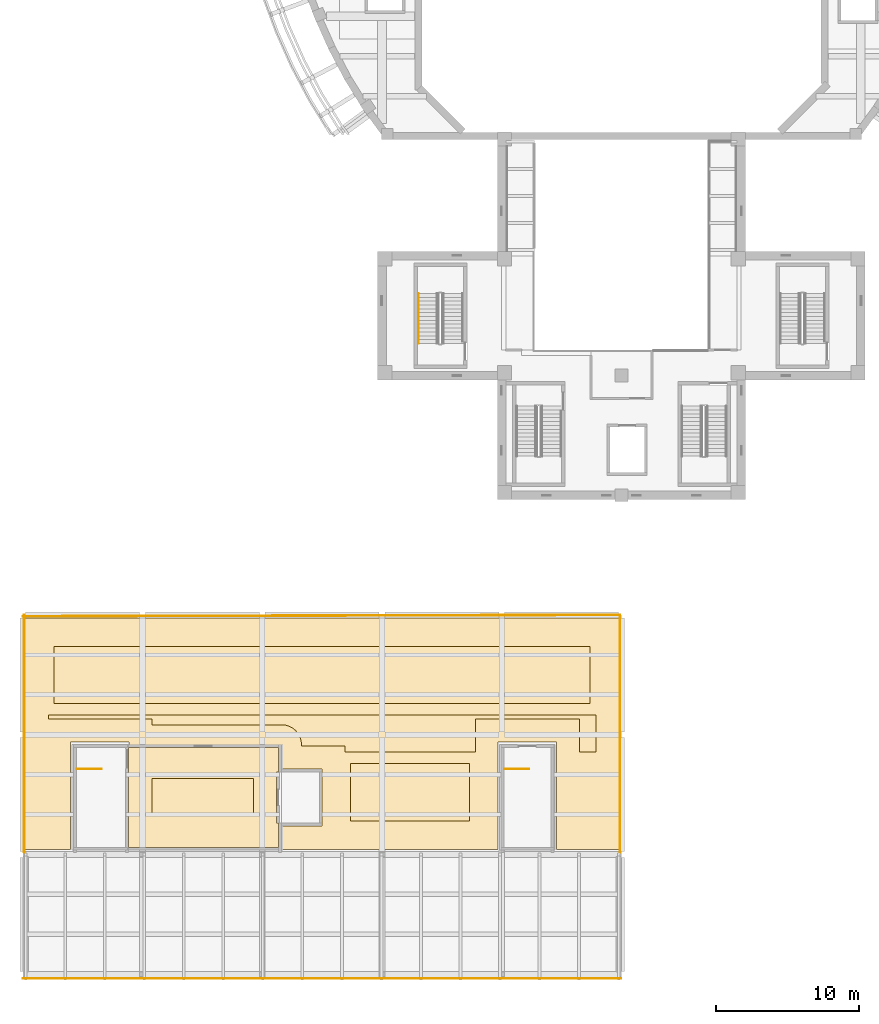
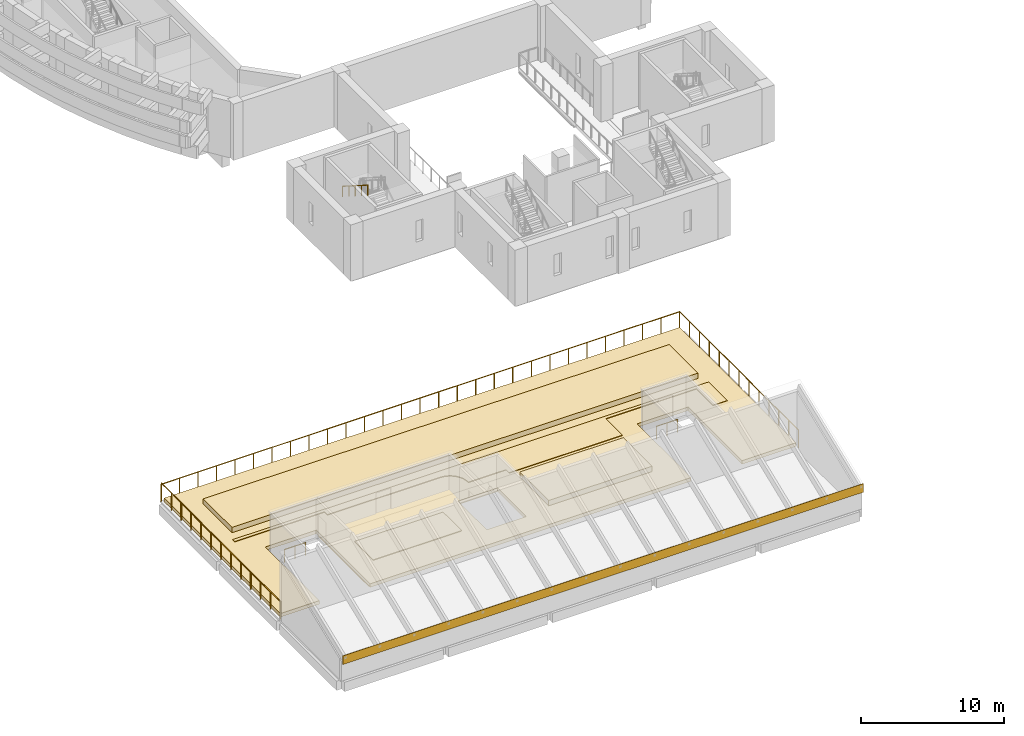
# One storey, part 20 of 37: 7 coverings, 5 railings.
"""IFC4 building model written with IfcOpenShell, lengths in metres."""

from ifc_helpers import new_model, si_unit, direction, frame, origin, origin_2d, place, context, subcontext, project, spatial, polyline, circle, outline, extrude, material, layer, layer_set, type_object, element, save


model = new_model("IFC4")

# Units and contexts
model_context = context("Model", 3, precision=1e-05, world=origin(), true_north=direction((0.0, 1.0)))
body_context = subcontext(model_context, "Body", "Model", "MODEL_VIEW")
ifc_project = project(units=[si_unit("LENGTHUNIT", "METRE"), si_unit("AREAUNIT", "SQUARE_METRE"), si_unit("VOLUMEUNIT", "CUBIC_METRE"), si_unit("PLANEANGLEUNIT", "RADIAN"), si_unit("MASSUNIT", "GRAM", prefix="KILO")], contexts=[model_context])

# Site, building, storey
site_placement = place(None, origin())
site = spatial("IfcSite", under=ifc_project, at=site_placement, CompositionType="ELEMENT")
building_placement = place(site_placement, origin())
building = spatial("IfcBuilding", under=site, at=building_placement, Name="Larchfold Concert Hall", CompositionType="ELEMENT")
storey_placement = place(building_placement, frame((0.0, 0.0, 19.199951171875)))
storey = spatial("IfcBuildingStorey", under=building, at=storey_placement, Name="L04", CompositionType="ELEMENT", Elevation=19.199951171875)

# Coverings
ifc_material_1 = material(Name="Polished terrazzo")
ifc_layer_1 = layer(ifc_material_1, 0.0400390625)
ifc_layer_set_1 = layer_set([ifc_layer_1], Name="Polished terrazzo")
covering_type_1 = type_object("IfcCoveringType", Name="Floor finish terrazzo 40", PredefinedType="FLOORING", material=ifc_layer_set_1)
covering_1_placement = place(storey_placement, origin())
element("IfcCovering", 1, at=covering_1_placement, inside=storey, type_object=covering_type_1, Name="Floor finish Roof Garden Lobby", PredefinedType="FLOORING", context=body_context, shape_type="SweptSolid", body=[
    extrude(outline(polyline([(8.0, 9.5), (18.5498046875, 9.5), (18.5498046875, 11.199951171875), (18.39990234375, 11.199951171875), (18.39990234375, 14.800048828125), (18.5498046875, 14.800048828125), (18.5498046875, 16.5), (8.0, 16.5), (8.0, 9.5)])), origin(), (0.0, 0.0, 1.0), 0.0400390625),
])
ifc_material_2 = material(Name="Planting soil and drainage layer on membrane")
ifc_layer_2 = layer(ifc_material_2, 0.300048828125)
ifc_layer_set_2 = layer_set([ifc_layer_2], Name="Planting soil and drainage layer on membrane")
covering_type_2 = type_object("IfcCoveringType", Name="Planted roof build-up 300", PredefinedType="ROOFING", material=ifc_layer_set_2)
covering_2_placement = place(storey_placement, origin())
element("IfcCovering", 2, at=covering_2_placement, inside=storey, type_object=covering_type_2, Name="Roof covering RC003", PredefinedType="ROOFING", context=body_context, shape_type="SweptSolid", body=[
    extrude(outline(polyline([(0.800048828125, 9.349853515625), (3.949951171875, 9.349853515625), (3.949951171875, 16.89990234375), (8.050048828125, 16.89990234375), (8.050048828125, 9.349853515625), (33.949951171875, 9.349853515625), (33.949951171875, 16.89990234375), (38.050048828125, 16.89990234375), (38.050048828125, 9.349853515625), (42.400146484375, 9.349853515625), (42.400146484375, 25.60009765625), (0.800048828125, 25.60009765625), (0.800048828125, 9.349853515625)]), holes=[polyline([(18.400146484375, 11.0), (18.400146484375, 15.0), (21.599853515625, 15.0), (21.599853515625, 11.0), (18.400146484375, 11.0)])]), origin(), (0.0, 0.0, 1.0), 0.300048828125),
])
ifc_material_3 = material(Name="Planting soil and drainage layer in raised bed")
ifc_layer_3 = layer(ifc_material_3, 0.449951171875)
ifc_layer_set_3 = layer_set([ifc_layer_3], Name="Planting soil and drainage layer in raised bed")
covering_type_3 = type_object("IfcCoveringType", Name="Raised planting bed 450", PredefinedType="ROOFING", material=ifc_layer_set_3)
covering_3_placement = place(storey_placement, frame((0.0, 0.0, 0.300048828125)))
element("IfcCovering", 3, at=covering_3_placement, inside=storey, type_object=covering_type_3, Name="Planting bed PB01", PredefinedType="ROOFING", context=body_context, shape_type="SweptSolid", body=[
    extrude(outline(polyline([(2.800048828125, 23.60009765625), (2.800048828125, 19.574951171875), (40.400146484375, 19.574951171875), (40.400146484375, 23.60009765625), (2.800048828125, 23.60009765625)])), origin(), (0.0, 0.0, 1.0), 0.449951171875),
])
covering_4_placement = place(storey_placement, frame((0.0, 0.0, 0.300048828125)))
element("IfcCovering", 4, at=covering_4_placement, inside=storey, type_object=covering_type_3, Name="Planting bed PB02", PredefinedType="ROOFING", context=body_context, shape_type="SweptSolid", body=[
    extrude(outline(polyline([(31.949951171875, 15.375), (23.599853515625, 15.375), (23.599853515625, 11.349853515625), (31.949951171875, 11.349853515625), (31.949951171875, 15.375)])), origin(), (0.0, 0.0, 1.0), 0.449951171875),
])
ifc_material_4 = material(Name="Anodised graphite aluminium fascia", Category="aluminium")
ifc_layer_4 = layer(ifc_material_4, 0.030029296875)
ifc_layer_set_4 = layer_set([ifc_layer_4], Name="Anodised graphite aluminium fascia")
covering_type_4 = type_object("IfcCoveringType", Name="Roof edge fascia 30", PredefinedType="CLADDING", material=ifc_layer_set_4)
covering_5_placement = place(storey_placement, frame((0.60009765625, 0.27001953125, 1.526123046875), z_axis=(0.0, -1.0, 0.0), x_axis=(1.0, 0.0, 0.0)))
element("IfcCovering", 5, at=covering_5_placement, inside=storey, type_object=covering_type_4, Name="Roof edge fascia RF102", PredefinedType="CLADDING", context=body_context, shape_type="SweptSolid", body=[
    extrude(outline(polyline([(0.0, 0.0), (42.0, 0.0), (42.0, 0.73779296875), (0.0, 0.73779296875), (0.0, 0.0)])), origin(), (0.0, 0.0, -1.0), 0.030029296875),
])

# Railings
ifc_material_5 = material(Name="Graphite painted steel guard", Category="steel")
railing_type_1 = type_object("IfcRailingType", Name="Roof garden guard 1500", PredefinedType="GUARDRAIL", material=ifc_material_5)
railing_1_placement = place(storey_placement, frame((0.7001953125, 25.800048828125, 0.0)))
element("IfcRailing", 6, at=railing_1_placement, inside=storey, type_object=railing_type_1, Name="Roof guard GR0005", PredefinedType="GUARDRAIL", context=body_context, shape_type="SweptSolid", body=[
    extrude(circle(Radius=0.02392578125, at=origin_2d()), frame((0.0, 0.0, 1.47607421875), z_axis=(0.0, -1.0, 0.0), x_axis=(1.0, 0.0, 0.0)), (0.0, 0.0, 1.0), 16.650146484375),
    extrude(circle(Radius=0.02099609375, at=origin_2d()), origin(), (0.0, 0.0, 1.0), 1.451904296875),
    extrude(circle(Radius=0.02099609375, at=origin_2d()), frame((0.0, -1.387451171875, 0.0)), (0.0, 0.0, 1.0), 1.451904296875),
    extrude(circle(Radius=0.02099609375, at=origin_2d()), frame((0.0, -2.77490234375, 0.0)), (0.0, 0.0, 1.0), 1.451904296875),
    extrude(circle(Radius=0.02099609375, at=origin_2d()), frame((0.0, -4.16259765625, 0.0)), (0.0, 0.0, 1.0), 1.451904296875),
    extrude(circle(Radius=0.02099609375, at=origin_2d()), frame((0.0, -5.550048828125, 0.0)), (0.0, 0.0, 1.0), 1.451904296875),
    extrude(circle(Radius=0.02099609375, at=origin_2d()), frame((0.0, -6.9375, 0.0)), (0.0, 0.0, 1.0), 1.451904296875),
    extrude(circle(Radius=0.02099609375, at=origin_2d()), frame((0.0, -8.3251953125, 0.0)), (0.0, 0.0, 1.0), 1.451904296875),
    extrude(circle(Radius=0.02099609375, at=origin_2d()), frame((0.0, -9.712646484375, 0.0)), (0.0, 0.0, 1.0), 1.451904296875),
    extrude(circle(Radius=0.02099609375, at=origin_2d()), frame((0.0, -11.10009765625, 0.0)), (0.0, 0.0, 1.0), 1.451904296875),
    extrude(circle(Radius=0.02099609375, at=origin_2d()), frame((0.0, -12.487548828125, 0.0)), (0.0, 0.0, 1.0), 1.451904296875),
    extrude(circle(Radius=0.02099609375, at=origin_2d()), frame((0.0, -13.875, 0.0)), (0.0, 0.0, 1.0), 1.451904296875),
    extrude(circle(Radius=0.02099609375, at=origin_2d()), frame((0.0, -15.2626953125, 0.0)), (0.0, 0.0, 1.0), 1.451904296875),
    extrude(circle(Radius=0.02099609375, at=origin_2d()), frame((0.0, -16.650146484375, 0.0)), (0.0, 0.0, 1.0), 1.451904296875),
])
railing_2_placement = place(storey_placement, frame((42.5, 9.14990234375, 0.0)))
element("IfcRailing", 7, at=railing_2_placement, inside=storey, type_object=railing_type_1, Name="Roof guard GR0006", PredefinedType="GUARDRAIL", context=body_context, shape_type="SweptSolid", body=[
    extrude(circle(Radius=0.02392578125, at=origin_2d()), frame((0.0, 0.0, 1.47607421875), z_axis=(0.0, 1.0, 0.0), x_axis=(-1.0, 0.0, 0.0)), (0.0, 0.0, 1.0), 16.650146484375),
    extrude(circle(Radius=0.02392578125, at=origin_2d()), frame((0.0, 16.650146484375, 1.47607421875), z_axis=(-0.999997146421, -0.002388964294, 0.0), x_axis=(0.002388964294, -0.999997146421, 0.0)), (0.0, 0.0, 1.0), 41.89990234375),
    extrude(circle(Radius=0.02099609375, at=origin_2d()), origin(), (0.0, 0.0, 1.0), 1.451904296875),
    extrude(circle(Radius=0.02099609375, at=origin_2d()), frame((0.0, 1.387451171875, 0.0)), (0.0, 0.0, 1.0), 1.451904296875),
    extrude(circle(Radius=0.02099609375, at=origin_2d()), frame((0.0, 2.77490234375, 0.0)), (0.0, 0.0, 1.0), 1.451904296875),
    extrude(circle(Radius=0.02099609375, at=origin_2d()), frame((0.0, 4.16259765625, 0.0)), (0.0, 0.0, 1.0), 1.451904296875),
    extrude(circle(Radius=0.02099609375, at=origin_2d()), frame((0.0, 5.550048828125, 0.0)), (0.0, 0.0, 1.0), 1.451904296875),
    extrude(circle(Radius=0.02099609375, at=origin_2d()), frame((0.0, 6.9375, 0.0)), (0.0, 0.0, 1.0), 1.451904296875),
    extrude(circle(Radius=0.02099609375, at=origin_2d()), frame((0.0, 8.3251953125, 0.0)), (0.0, 0.0, 1.0), 1.451904296875),
    extrude(circle(Radius=0.02099609375, at=origin_2d()), frame((0.0, 9.712646484375, 0.0)), (0.0, 0.0, 1.0), 1.451904296875),
    extrude(circle(Radius=0.02099609375, at=origin_2d()), frame((0.0, 11.10009765625, 0.0)), (0.0, 0.0, 1.0), 1.451904296875),
    extrude(circle(Radius=0.02099609375, at=origin_2d()), frame((0.0, 12.487548828125, 0.0)), (0.0, 0.0, 1.0), 1.451904296875),
    extrude(circle(Radius=0.02099609375, at=origin_2d()), frame((0.0, 13.875, 0.0)), (0.0, 0.0, 1.0), 1.451904296875),
    extrude(circle(Radius=0.02099609375, at=origin_2d()), frame((0.0, 15.2626953125, 0.0)), (0.0, 0.0, 1.0), 1.451904296875),
    extrude(circle(Radius=0.02099609375, at=origin_2d()), frame((0.0, 16.650146484375, 0.0)), (0.0, 0.0, 1.0), 1.451904296875),
    extrude(circle(Radius=0.02099609375, at=origin_2d()), frame((-1.496337890625, 16.646484375, 0.0)), (0.0, 0.0, 1.0), 1.451904296875),
    extrude(circle(Radius=0.02099609375, at=origin_2d()), frame((-2.992919921875, 16.64306640625, 0.0)), (0.0, 0.0, 1.0), 1.451904296875),
    extrude(circle(Radius=0.02099609375, at=origin_2d()), frame((-4.4892578125, 16.639404296875, 0.0)), (0.0, 0.0, 1.0), 1.451904296875),
    extrude(circle(Radius=0.02099609375, at=origin_2d()), frame((-5.985595703125, 16.6357421875, 0.0)), (0.0, 0.0, 1.0), 1.451904296875),
    extrude(circle(Radius=0.02099609375, at=origin_2d()), frame((-7.482177734375, 16.63232421875, 0.0)), (0.0, 0.0, 1.0), 1.451904296875),
    extrude(circle(Radius=0.02099609375, at=origin_2d()), frame((-8.978515625, 16.628662109375, 0.0)), (0.0, 0.0, 1.0), 1.451904296875),
    extrude(circle(Radius=0.02099609375, at=origin_2d()), frame((-10.47509765625, 16.625, 0.0)), (0.0, 0.0, 1.0), 1.451904296875),
    extrude(circle(Radius=0.02099609375, at=origin_2d()), frame((-11.971435546875, 16.62158203125, 0.0)), (0.0, 0.0, 1.0), 1.451904296875),
    extrude(circle(Radius=0.02099609375, at=origin_2d()), frame((-13.4677734375, 16.617919921875, 0.0)), (0.0, 0.0, 1.0), 1.451904296875),
    extrude(circle(Radius=0.02099609375, at=origin_2d()), frame((-14.96435546875, 16.614501953125, 0.0)), (0.0, 0.0, 1.0), 1.451904296875),
    extrude(circle(Radius=0.02099609375, at=origin_2d()), frame((-16.460693359375, 16.61083984375, 0.0)), (0.0, 0.0, 1.0), 1.451904296875),
    extrude(circle(Radius=0.02099609375, at=origin_2d()), frame((-17.95703125, 16.607177734375, 0.0)), (0.0, 0.0, 1.0), 1.451904296875),
    extrude(circle(Radius=0.02099609375, at=origin_2d()), frame((-19.45361328125, 16.603759765625, 0.0)), (0.0, 0.0, 1.0), 1.451904296875),
    extrude(circle(Radius=0.02099609375, at=origin_2d()), frame((-20.949951171875, 16.60009765625, 0.0)), (0.0, 0.0, 1.0), 1.451904296875),
    extrude(circle(Radius=0.02099609375, at=origin_2d()), frame((-22.4462890625, 16.596435546875, 0.0)), (0.0, 0.0, 1.0), 1.451904296875),
    extrude(circle(Radius=0.02099609375, at=origin_2d()), frame((-23.94287109375, 16.593017578125, 0.0)), (0.0, 0.0, 1.0), 1.451904296875),
    extrude(circle(Radius=0.02099609375, at=origin_2d()), frame((-25.439208984375, 16.58935546875, 0.0)), (0.0, 0.0, 1.0), 1.451904296875),
    extrude(circle(Radius=0.02099609375, at=origin_2d()), frame((-26.935546875, 16.585693359375, 0.0)), (0.0, 0.0, 1.0), 1.451904296875),
    extrude(circle(Radius=0.02099609375, at=origin_2d()), frame((-28.43212890625, 16.582275390625, 0.0)), (0.0, 0.0, 1.0), 1.451904296875),
    extrude(circle(Radius=0.02099609375, at=origin_2d()), frame((-29.928466796875, 16.57861328125, 0.0)), (0.0, 0.0, 1.0), 1.451904296875),
    extrude(circle(Radius=0.02099609375, at=origin_2d()), frame((-31.4248046875, 16.5751953125, 0.0)), (0.0, 0.0, 1.0), 1.451904296875),
    extrude(circle(Radius=0.02099609375, at=origin_2d()), frame((-32.92138671875, 16.571533203125, 0.0)), (0.0, 0.0, 1.0), 1.451904296875),
    extrude(circle(Radius=0.02099609375, at=origin_2d()), frame((-34.417724609375, 16.56787109375, 0.0)), (0.0, 0.0, 1.0), 1.451904296875),
    extrude(circle(Radius=0.02099609375, at=origin_2d()), frame((-35.914306640625, 16.564453125, 0.0)), (0.0, 0.0, 1.0), 1.451904296875),
    extrude(circle(Radius=0.02099609375, at=origin_2d()), frame((-37.41064453125, 16.560791015625, 0.0)), (0.0, 0.0, 1.0), 1.451904296875),
    extrude(circle(Radius=0.02099609375, at=origin_2d()), frame((-38.906982421875, 16.55712890625, 0.0)), (0.0, 0.0, 1.0), 1.451904296875),
    extrude(circle(Radius=0.02099609375, at=origin_2d()), frame((-40.403564453125, 16.5537109375, 0.0)), (0.0, 0.0, 1.0), 1.451904296875),
    extrude(circle(Radius=0.02099609375, at=origin_2d()), frame((-41.89990234375, 16.550048828125, 0.0)), (0.0, 0.0, 1.0), 1.451904296875),
])

# Coverings
ifc_material_6 = material(Name="Concrete paving slab on pedestals", Category="concrete")
ifc_layer_5 = layer(ifc_material_6, 0.0400390625)
ifc_layer_set_5 = layer_set([ifc_layer_5], Name="Concrete paving slab on pedestals")
covering_type_5 = type_object("IfcCoveringType", Name="Roof terrace paving 40", PredefinedType="FLOORING", material=ifc_layer_set_5)
covering_6_placement = place(storey_placement, frame((0.0, 0.0, 0.300048828125)))
element("IfcCovering", 8, at=covering_6_placement, inside=storey, type_object=covering_type_5, Name="Roof paving PV01", PredefinedType="FLOORING", context=body_context, shape_type="SweptSolid", body=[
    extrude(outline(polyline([(40.800048828125, 18.77490234375), (2.400146484375, 18.77490234375), (2.400146484375, 18.5), (9.650146484375, 18.5), (9.650146484375, 18.10009765625), (18.550048828125, 18.10009765625), (18.7509765625, 18.099853515625), (18.88818359375, 18.093017578125), (19.02392578125, 18.07275390625), (19.156982421875, 18.039306640625), (19.286376953125, 17.9931640625), (19.410400390625, 17.934326171875), (19.5283203125, 17.86376953125), (19.638427734375, 17.78173828125), (19.740234375, 17.689453125), (19.83251953125, 17.587646484375), (19.9140625, 17.4775390625), (19.98486328125, 17.359619140625), (20.04345703125, 17.2353515625), (20.089599609375, 17.106201171875), (20.123046875, 16.972900390625), (20.14306640625, 16.837158203125), (20.14990234375, 16.699951171875), (20.14990234375, 16.60009765625), (23.199951171875, 16.60009765625), (23.199951171875, 16.175048828125), (32.349853515625, 16.175048828125), (32.349853515625, 18.5), (39.650146484375, 18.5), (39.650146484375, 16.175048828125), (40.800048828125, 16.175048828125), (40.800048828125, 18.77490234375)])), origin(), (0.0, 0.0, 1.0), 0.0400390625),
])
covering_7_placement = place(storey_placement, frame((0.0, 0.0, 0.300048828125)))
element("IfcCovering", 9, at=covering_7_placement, inside=storey, type_object=covering_type_5, Name="Roof paving PV06", PredefinedType="FLOORING", context=body_context, shape_type="SweptSolid", body=[
    extrude(outline(polyline([(9.650146484375, 11.72509765625), (16.800048828125, 11.72509765625), (16.800048828125, 14.324951171875), (9.650146484375, 14.324951171875), (9.650146484375, 11.72509765625)])), origin(), (0.0, 0.0, 1.0), 0.0400390625),
])

# Railings
ifc_material_7 = material(Name="Stainless steel balustrade", Category="steel")
railing_type_2 = type_object("IfcRailingType", Name="Stair guard 1100", PredefinedType="GUARDRAIL", material=ifc_material_7)
for number, where, name in (
    (10, (4.39990234375, 15.0, 0.0), "Guard GR0063"),
    (11, (34.39990234375, 15.0, 0.0), "Guard GR0064"),
):
    element("IfcRailing", number, at=place(storey_placement, frame(where)), inside=storey, type_object=railing_type_2, Name=name, PredefinedType="GUARDRAIL", context=body_context, shape_type="SweptSolid", body=[
        extrude(circle(Radius=0.02392578125, at=origin_2d()), frame((0.0, 0.0, 1.076171875), z_axis=(1.0, 0.0, 0.0), x_axis=(0.0, 1.0, 0.0)), (0.0, 0.0, 1.0), 1.699951171875),
        extrude(circle(Radius=0.02099609375, at=origin_2d()), origin(), (0.0, 0.0, 1.0), 1.052001953125),
        extrude(circle(Radius=0.02099609375, at=origin_2d()), frame((0.85009765625, 0.0, 0.0)), (0.0, 0.0, 1.0), 1.052001953125),
        extrude(circle(Radius=0.02099609375, at=origin_2d()), frame((1.699951171875, 0.0, 0.0)), (0.0, 0.0, 1.0), 1.052001953125),
    ])
ifc_material_8 = material(Name="Stainless steel handrail", Category="steel")
railing_type_3 = type_object("IfcRailingType", Name="Stair handrail 900", PredefinedType="HANDRAIL", material=ifc_material_8)
railing_3_placement = place(storey_placement, frame((28.35009765625, 48.360107421875, 2.571533203125)))
element("IfcRailing", 12, at=railing_3_placement, inside=storey, type_object=railing_type_3, Name="Handrail HR0034", PredefinedType="HANDRAIL", context=body_context, shape_type="SweptSolid", body=[
    extrude(circle(Radius=0.02392578125, at=origin_2d()), frame((0.0, 0.0, 0.8759765625), z_axis=(0.0, -0.844219563411, 0.53599750816), x_axis=(1.0, 0.0, 0.0)), (0.0, 0.0, 1.0), 4.15771484375),
    extrude(circle(Radius=0.02099609375, at=origin_2d()), origin(), (0.0, 0.0, 1.0), 0.851806640625),
    extrude(circle(Radius=0.02099609375, at=origin_2d()), frame((0.0, -0.87744140625, 0.55712890625)), (0.0, 0.0, 1.0), 0.851806640625),
    extrude(circle(Radius=0.02099609375, at=origin_2d()), frame((0.0, -1.7548828125, 1.1142578125)), (0.0, 0.0, 1.0), 0.851806640625),
    extrude(circle(Radius=0.02099609375, at=origin_2d()), frame((0.0, -2.632568359375, 1.67138671875)), (0.0, 0.0, 1.0), 0.851806640625),
    extrude(circle(Radius=0.02099609375, at=origin_2d()), frame((0.0, -3.510009765625, 2.228515625)), (0.0, 0.0, 1.0), 0.851806640625),
])

save(model, "model.ifc")
